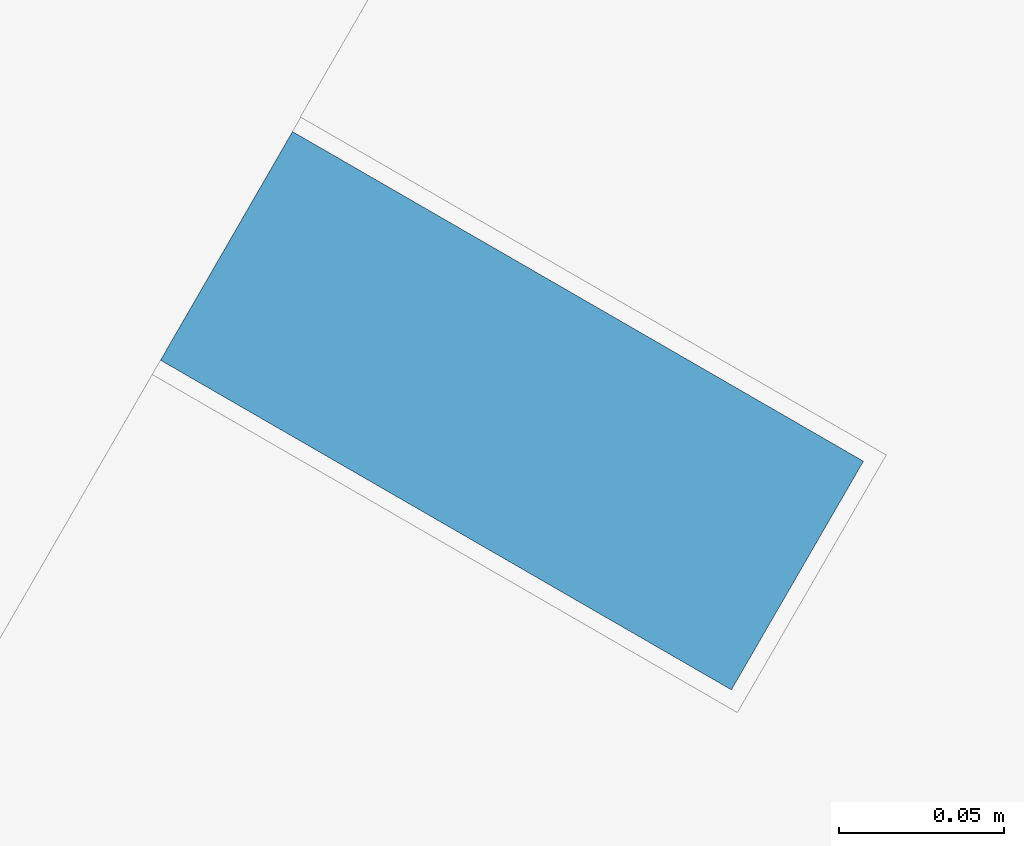
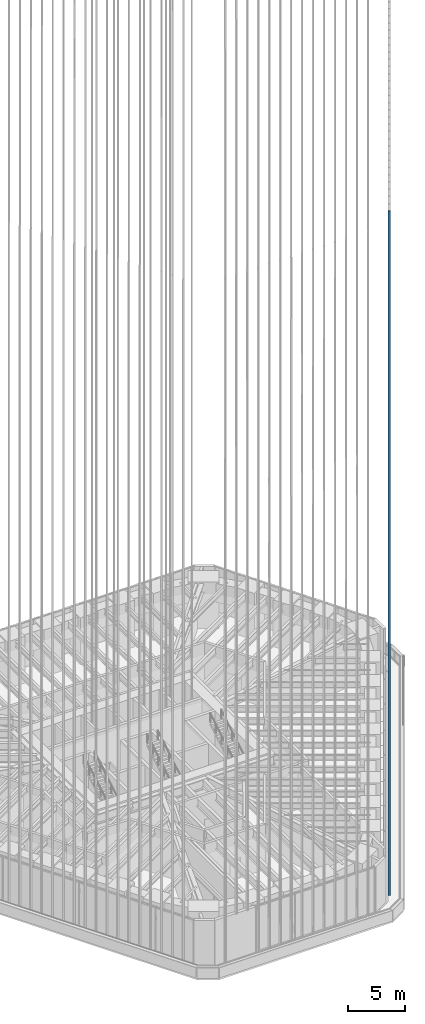
# One storey, part 77 of 228: 1 member, 1 element without a shape of its own.
"""IFC4 building model written with IfcOpenShell, lengths in metres."""

from ifc_helpers import new_model, si_unit, direction, frame, origin, origin_2d, place, context, subcontext, project, spatial, rectangle, extrude, material, material_profile, profile_set, type_object, element, aggregate, save


model = new_model("IFC4")

# Units and contexts
model_context = context("Model", 3, precision=1e-05, world=origin(), true_north=direction((0.0, 1.0)))
body_context = subcontext(model_context, "Body", "Model", "MODEL_VIEW")
ifc_project = project(units=[si_unit("LENGTHUNIT", "METRE"), si_unit("AREAUNIT", "SQUARE_METRE"), si_unit("VOLUMEUNIT", "CUBIC_METRE"), si_unit("PLANEANGLEUNIT", "RADIAN"), si_unit("MASSUNIT", "GRAM", prefix="KILO")], contexts=[model_context])

# Site, building, storey
site_placement = place(None, origin())
site = spatial("IfcSite", under=ifc_project, at=site_placement, CompositionType="ELEMENT")
building_placement = place(site_placement, origin())
building = spatial("IfcBuilding", under=site, at=building_placement, Name="Sandreach Pilgrim Tower", CompositionType="ELEMENT")
storey_placement = place(building_placement, frame((0.0, 0.0, 178.199951171875)))
storey = spatial("IfcBuildingStorey", under=building, at=storey_placement, Name="L44", CompositionType="ELEMENT", Elevation=178.199951171875)

# Curtain wall, member
ifc_material_1 = material(Name="Aluminium framed curtain wall", Category="aluminium")
curtain_wall_type = type_object("IfcCurtainWallType", Name="Upper hotel tower curtain wall", PredefinedType="NOTDEFINED", material=ifc_material_1)
curtain_wall_placement = place(storey_placement, origin())
curtain_wall = element("IfcCurtainWall", 1, at=curtain_wall_placement, inside=storey, type_object=curtain_wall_type, Name="CW-3 L44 SE", PredefinedType="NOTDEFINED")
ifc_material_2 = material(Name="Extruded terracotta on aluminium core", Category="masonry")
ifc_material_profile = material_profile(ifc_material_2, rectangle(XDim=0.080078125, YDim=0.199951171875, at=origin_2d()), Name="TBE 80X200")
ifc_profile_set = profile_set([ifc_material_profile], Name="Extruded terracotta on aluminium core")
member_type = type_object("IfcMemberType", Name="Terracotta baguette east", PredefinedType="USERDEFINED", material=ifc_profile_set)
member_placement = place(storey_placement, frame((10.411865234375, -25.08642578125, 0.0), z_axis=(0.0, 0.0, 1.0), x_axis=(-0.5, -0.866025403784, 0.0)))
member = element("IfcMember", 2, at=member_placement, type_object=member_type, Name="Baguette Z3 SE31", ObjectType="BAGUETTE", PredefinedType="USERDEFINED", context=body_context, shape_type="SweptSolid", body=[
    extrude(rectangle(XDim=0.080078125, YDim=0.199951171875, at=origin_2d()), origin(), (0.0, 0.0, 1.0), 73.239990234375),
])
aggregate(curtain_wall, [member])

save(model, "model.ifc")
